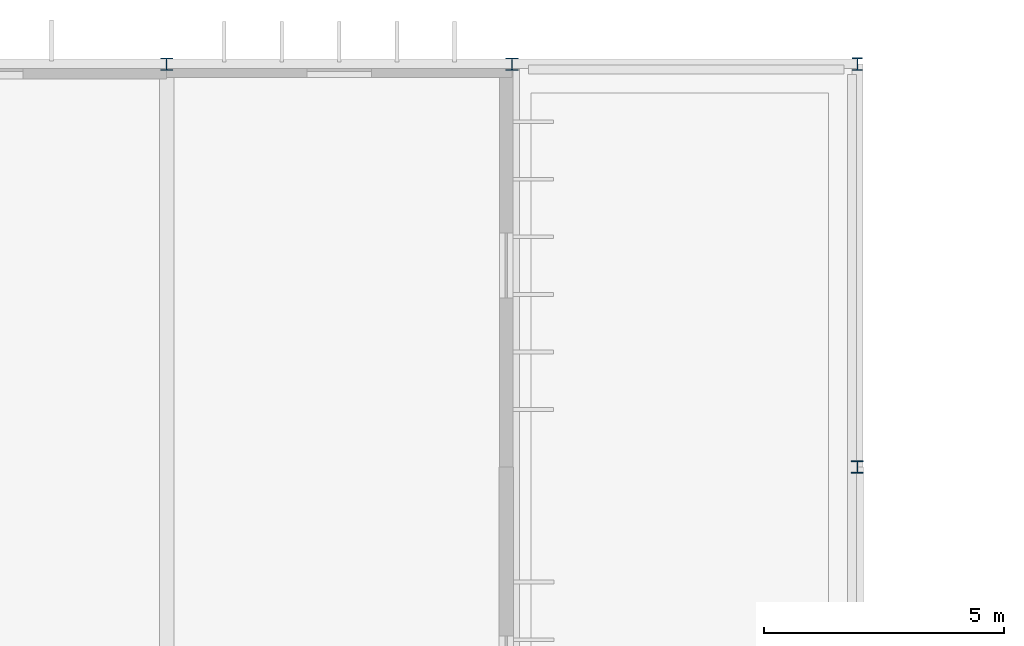
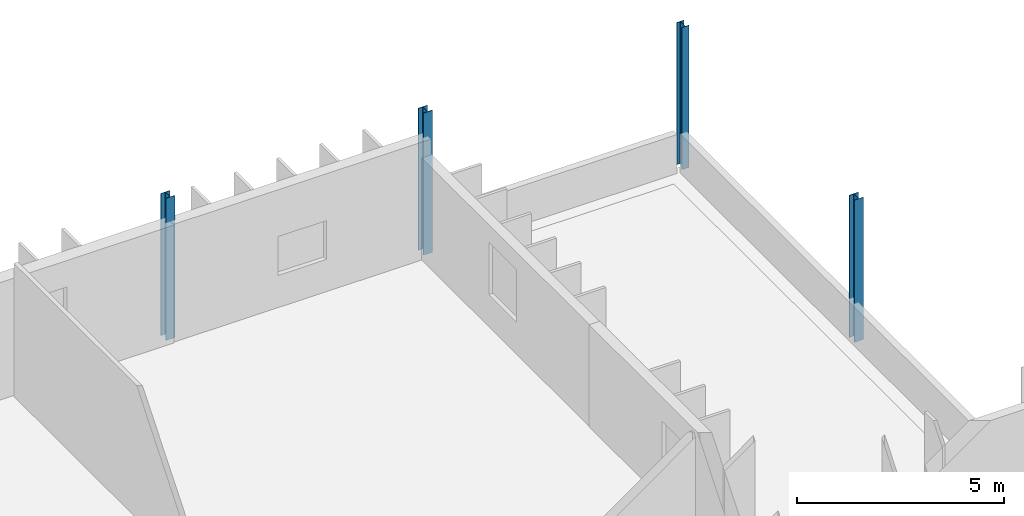
# One storey, part 25 of 119: 4 columns.
"""IFC4 building model written with IfcOpenShell, lengths in metres."""

from ifc_helpers import new_model, si_unit, direction, frame, origin, origin_2d, place, context, subcontext, project, spatial, i_section, extrude, material, material_profile, profile_set, type_object, element, save


model = new_model("IFC4")

# Units and contexts
model_context = context("Model", 3, precision=1e-05, world=origin(), true_north=direction((0.0, 1.0)))
body_context = subcontext(model_context, "Body", "Model", "MODEL_VIEW")
ifc_project = project(units=[si_unit("LENGTHUNIT", "METRE"), si_unit("AREAUNIT", "SQUARE_METRE"), si_unit("VOLUMEUNIT", "CUBIC_METRE"), si_unit("PLANEANGLEUNIT", "RADIAN"), si_unit("MASSUNIT", "GRAM", prefix="KILO")], contexts=[model_context])

# Site, building, storey
site_placement = place(None, origin())
site = spatial("IfcSite", under=ifc_project, at=site_placement, CompositionType="ELEMENT")
building_placement = place(site_placement, origin())
building = spatial("IfcBuilding", under=site, at=building_placement, Name="Qelthora Terrace Specialist Clinic", CompositionType="ELEMENT")
storey_placement = place(building_placement, frame((0.0, 0.0, 4.800048828125)))
storey = spatial("IfcBuildingStorey", under=building, at=storey_placement, Name="L01", CompositionType="ELEMENT", Elevation=4.800048828125)

# Columns
ifc_material = material(Name="Steel S355", Category="steel")
ifc_material_profile_1 = material_profile(ifc_material, i_section(OverallWidth=0.2041015625, OverallDepth=0.257080078125, WebThickness=0.0087890625, FlangeThickness=0.015625, FilletRadius=0.012939453125, at=origin_2d()), Name="W250X67")
ifc_profile_set_1 = profile_set([ifc_material_profile_1], Name="Steel S355")
column_type_1 = type_object("IfcColumnType", Name="COL-W250X67", PredefinedType="COLUMN", material=ifc_profile_set_1)
column_placement = place(storey_placement, frame((144.0, 109.199951171875, 0.0), z_axis=(0.0, 0.0, 1.0), x_axis=(1.0, 0.0, 0.0)))
element("IfcColumn", 1, at=column_placement, inside=storey, type_object=column_type_1, Name="Column L01-235", PredefinedType="COLUMN", context=body_context, shape_type="SweptSolid", body=[
    extrude(i_section(OverallWidth=0.2041015625, OverallDepth=0.257080078125, WebThickness=0.0087890625, FlangeThickness=0.015625, FilletRadius=0.012939453125, at=origin_2d()), origin(), (0.0, 0.0, 1.0), 4.199951171875),
])
ifc_material_profile_2 = material_profile(ifc_material, i_section(OverallWidth=0.25390625, OverallDepth=0.2529296875, WebThickness=0.008544921875, FlangeThickness=0.01416015625, FilletRadius=0.012939453125, at=origin_2d()), Name="W250X73")
ifc_profile_set_2 = profile_set([ifc_material_profile_2], Name="Steel S355")
column_type_2 = type_object("IfcColumnType", Name="COL-W250X73", PredefinedType="COLUMN", material=ifc_profile_set_2)
for number, where, z_axis, x_axis, name in (
    (2, (129.60009765625, 109.199951171875, 0.0), (0.0, 0.0, 1.0), (1.0, 0.0, 0.0), "Column L01-214"),
    (3, (136.800048828125, 109.199951171875, 0.0), (0.0, 0.0, 1.0), (1.0, 0.0, 0.0), "Column L01-222"),
    (4, (144.0, 100.800048828125, 0.0), (0.0, 0.0, 1.0), (1.0, 0.0, 0.0), "Column L01-234"),
):
    element("IfcColumn", number, at=place(storey_placement, frame(where, z_axis=z_axis, x_axis=x_axis)), inside=storey, type_object=column_type_2, Name=name, PredefinedType="COLUMN", context=body_context, shape_type="SweptSolid", body=[
        extrude(i_section(OverallWidth=0.25390625, OverallDepth=0.2529296875, WebThickness=0.008544921875, FlangeThickness=0.01416015625, FilletRadius=0.012939453125, at=origin_2d()), origin(), (0.0, 0.0, 1.0), 4.199951171875),
    ])

save(model, "model.ifc")
